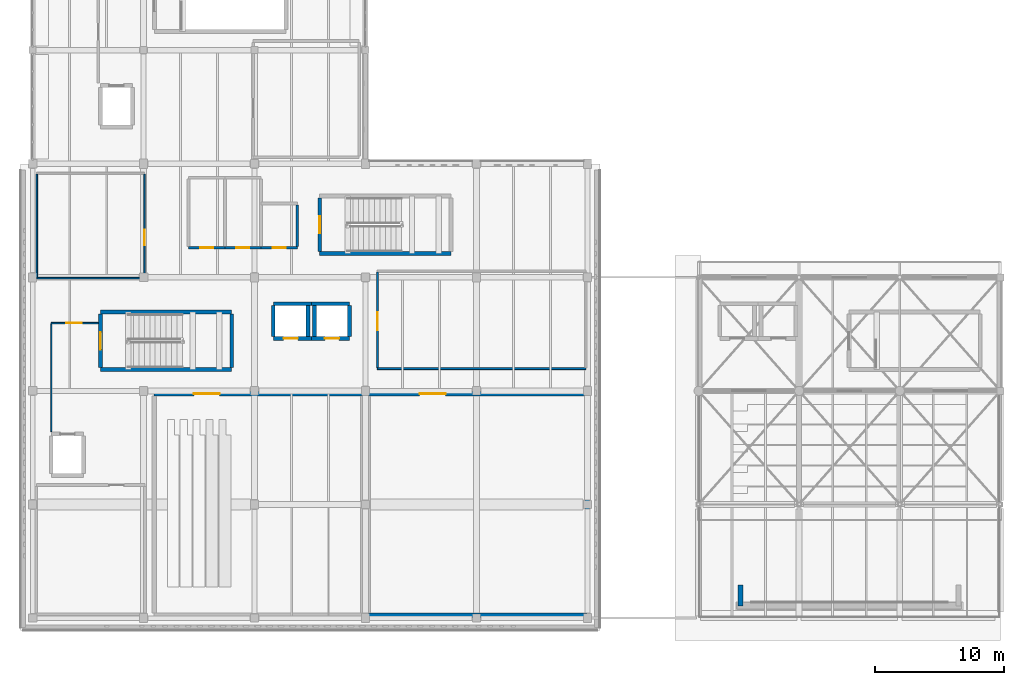
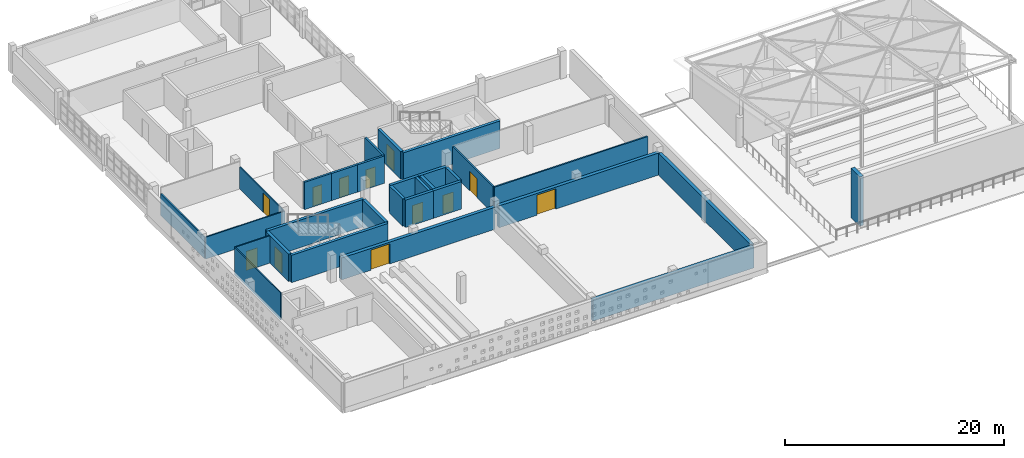
# One storey, part 24 of 34: 30 walls, 12 doors, 12 openings.
"""IFC4 building model written with IfcOpenShell, lengths in metres."""

from ifc_helpers import new_model, si_unit, direction, frame, frame_2d, origin, place, context, subcontext, project, spatial, rectangle, extrude, material, layer, layer_set, type_object, element, fill, save


model = new_model("IFC4")

# Units and contexts
model_context = context("Model", 3, precision=1e-05, world=origin(), true_north=direction((0.0, 1.0)))
body_context = subcontext(model_context, "Body", "Model", "MODEL_VIEW")
ifc_project = project(units=[si_unit("LENGTHUNIT", "METRE"), si_unit("AREAUNIT", "SQUARE_METRE"), si_unit("VOLUMEUNIT", "CUBIC_METRE"), si_unit("PLANEANGLEUNIT", "RADIAN"), si_unit("MASSUNIT", "GRAM", prefix="KILO")], contexts=[model_context])

# Site, building, storey
site_placement = place(None, origin())
site = spatial("IfcSite", under=ifc_project, at=site_placement, CompositionType="ELEMENT")
building_placement = place(site_placement, origin())
building = spatial("IfcBuilding", under=site, at=building_placement, Name="Varnakota Cinema and Media Centre", CompositionType="ELEMENT")
storey_placement = place(building_placement, frame((0.0, 0.0, 19.050048828125)))
storey = spatial("IfcBuildingStorey", under=building, at=storey_placement, Name="L05", CompositionType="ELEMENT", Elevation=19.050048828125)

# Wall
ifc_material_1 = material(Name="Concrete M40", Category="concrete")
ifc_layer_1 = layer(ifc_material_1, 0.300048828125)
ifc_layer_set_1 = layer_set([ifc_layer_1], Name="Concrete M40")
wall_type_1 = type_object("IfcWallType", Name="W-CORE-300", PredefinedType="SHEAR", material=ifc_layer_set_1)
wall_1_placement = place(storey_placement, frame((15.429931640625, 19.25, 0.0), z_axis=(0.0, 0.0, 1.0), x_axis=(-1.0, 0.0, 0.0)))
element("IfcWall", 1, at=wall_1_placement, inside=storey, type_object=wall_type_1, Name="L05 CWALL-ST-01-L05 S wall", PredefinedType="SHEAR", context=body_context, shape_type="SweptSolid", body=[
    extrude(rectangle(XDim=10.179931640625, YDim=0.300048828125, at=frame_2d((5.08984375, 0.0))), origin(), (0.0, 0.0, 1.0), 3.06005859375),
])

# Wall, opening, door
wall_2_placement = place(storey_placement, frame((5.25, 19.39990234375, 0.0), z_axis=(0.0, 0.0, 1.0), x_axis=(0.0, 1.0, 0.0)))
wall_2 = element("IfcWall", 2, at=wall_2_placement, inside=storey, type_object=wall_type_1, Name="L05 CWALL-ST-01-L05 W wall", PredefinedType="SHEAR", context=body_context, shape_type="SweptSolid", body=[
    extrude(rectangle(XDim=4.150146484375, YDim=0.300048828125, at=frame_2d((2.0751953125, 0.0))), origin(), (0.0, 0.0, 1.0), 3.06005859375),
])
opening_1_placement = place(wall_2_placement, frame((1.39990234375, 0.0, 0.0)))
opening_1 = element("IfcOpeningElement", 3, at=opening_1_placement, cuts=wall_2, Name="Opening SD-01", PredefinedType="OPENING", context=body_context, shape_type="SweptSolid", body=[
    extrude(rectangle(XDim=1.35009765625, YDim=2.199951171875, at=frame_2d((0.675048828125, 1.10009765625))), frame((0.0, 0.14990234375, 0.0), z_axis=(0.0, -1.0, 0.0), x_axis=(1.0, 0.0, 0.0)), (0.0, 0.0, 1.0), 0.300048828125),
])
ifc_material_2 = material(Name="Thermally broken anodised aluminium AW-6063", Category="aluminium")
door_type_1 = type_object("IfcDoorType", Name="DR-STAIR-1350x2200", OperationType="NOTDEFINED", PredefinedType="DOOR", material=ifc_material_2)
door_1_placement = place(opening_1_placement, origin())
door_1 = element("IfcDoor", 4, at=door_1_placement, inside=storey, type_object=door_type_1, Name="L05 door SD-01", OperationType="SINGLE_SWING_RIGHT", OverallHeight=2.199951171875, OverallWidth=1.35009765625, PredefinedType="DOOR", context=body_context, shape_type="SweptSolid", body=[
    extrude(rectangle(XDim=1.35009765625, YDim=2.199951171875, at=frame_2d((0.675048828125, 1.10009765625))), frame((0.0, 0.02490234375, 0.0), z_axis=(0.0, -1.0, 0.0), x_axis=(1.0, 0.0, 0.0)), (0.0, 0.0, 1.0), 0.050048828125),
])
fill(opening_1, door_1)

# Walls
wall_3_placement = place(storey_placement, frame((5.25, 23.699951171875, 0.0), z_axis=(0.0, 0.0, 1.0), x_axis=(1.0, 0.0, 0.0)))
element("IfcWall", 5, at=wall_3_placement, inside=storey, type_object=wall_type_1, Name="L05 CWALL-ST-01-L05 N wall", PredefinedType="SHEAR", context=body_context, shape_type="SweptSolid", body=[
    extrude(rectangle(XDim=10.179931640625, YDim=0.300048828125, at=frame_2d((5.08984375, 0.0))), origin(), (0.0, 0.0, 1.0), 3.06005859375),
])
wall_4_placement = place(storey_placement, frame((15.429931640625, 23.550048828125, 0.0), z_axis=(0.0, 0.0, 1.0), x_axis=(0.0, -1.0, 0.0)))
element("IfcWall", 6, at=wall_4_placement, inside=storey, type_object=wall_type_1, Name="L05 CWALL-ST-01-L05 E wall", PredefinedType="SHEAR", context=body_context, shape_type="SweptSolid", body=[
    extrude(rectangle(XDim=4.150146484375, YDim=0.300048828125, at=frame_2d((2.0751953125, 0.0))), origin(), (0.0, 0.0, 1.0), 3.06005859375),
])
wall_5_placement = place(storey_placement, frame((32.429931640625, 28.25, 0.0), z_axis=(0.0, 0.0, 1.0), x_axis=(-1.0, 0.0, 0.0)))
element("IfcWall", 7, at=wall_5_placement, inside=storey, type_object=wall_type_1, Name="L05 CWALL-ST-02-L05 S wall", PredefinedType="SHEAR", context=body_context, shape_type="SweptSolid", body=[
    extrude(rectangle(XDim=10.179931640625, YDim=0.300048828125, at=frame_2d((5.08984375, 0.0))), origin(), (0.0, 0.0, 1.0), 3.06005859375),
])

# Wall, opening, door
wall_6_placement = place(storey_placement, frame((22.25, 28.39990234375, 0.0), z_axis=(0.0, 0.0, 1.0), x_axis=(0.0, 1.0, 0.0)))
wall_6 = element("IfcWall", 8, at=wall_6_placement, inside=storey, type_object=wall_type_1, Name="L05 CWALL-ST-02-L05 W wall", PredefinedType="SHEAR", context=body_context, shape_type="SweptSolid", body=[
    extrude(rectangle(XDim=4.150146484375, YDim=0.300048828125, at=frame_2d((2.0751953125, 0.0))), origin(), (0.0, 0.0, 1.0), 3.06005859375),
])
opening_2_placement = place(wall_6_placement, frame((1.39990234375, 0.0, 0.0)))
opening_2 = element("IfcOpeningElement", 9, at=opening_2_placement, cuts=wall_6, Name="Opening SD-02", PredefinedType="OPENING", context=body_context, shape_type="SweptSolid", body=[
    extrude(rectangle(XDim=1.35009765625, YDim=2.199951171875, at=frame_2d((0.675048828125, 1.10009765625))), frame((0.0, 0.14990234375, 0.0), z_axis=(0.0, -1.0, 0.0), x_axis=(1.0, 0.0, 0.0)), (0.0, 0.0, 1.0), 0.300048828125),
])
door_2_placement = place(opening_2_placement, origin())
door_2 = element("IfcDoor", 10, at=door_2_placement, inside=storey, type_object=door_type_1, Name="L05 door SD-02", OperationType="SINGLE_SWING_RIGHT", OverallHeight=2.199951171875, OverallWidth=1.35009765625, PredefinedType="DOOR", context=body_context, shape_type="SweptSolid", body=[
    extrude(rectangle(XDim=1.35009765625, YDim=2.199951171875, at=frame_2d((0.675048828125, 1.10009765625))), frame((0.0, 0.02490234375, 0.0), z_axis=(0.0, -1.0, 0.0), x_axis=(1.0, 0.0, 0.0)), (0.0, 0.0, 1.0), 0.050048828125),
])
fill(opening_2, door_2)

wall_7_placement = place(storey_placement, frame((21.60009765625, 21.64990234375, 0.0), z_axis=(0.0, 0.0, 1.0), x_axis=(-1.0, 0.0, 0.0)))
wall_7 = element("IfcWall", 11, at=wall_7_placement, inside=storey, type_object=wall_type_1, Name="L05 LSHAFT-LF-03-L05 S wall", PredefinedType="SHEAR", context=body_context, shape_type="SweptSolid", body=[
    extrude(rectangle(XDim=2.9501953125, YDim=0.300048828125, at=frame_2d((1.47509765625, 0.0))), origin(), (0.0, 0.0, 1.0), 3.06005859375),
])
opening_3_placement = place(wall_7_placement, frame((1.050048828125, 0.0, 0.0)))
opening_3 = element("IfcOpeningElement", 12, at=opening_3_placement, cuts=wall_7, Name="Opening LD-03", PredefinedType="OPENING", context=body_context, shape_type="SweptSolid", body=[
    extrude(rectangle(XDim=1.10009765625, YDim=2.10009765625, at=frame_2d((0.550048828125, 1.050048828125))), frame((0.0, 0.14990234375, 0.0), z_axis=(0.0, -1.0, 0.0), x_axis=(1.0, 0.0, 0.0)), (0.0, 0.0, 1.0), 0.300048828125),
])
ifc_material_3 = material(Name="Thermally broken anodised aluminium AW-6063", Category="aluminium")
door_type_2 = type_object("IfcDoorType", Name="DR-LIFT-1100x2100", OperationType="SLIDING_TO_LEFT", PredefinedType="DOOR", material=ifc_material_3)
door_3_placement = place(opening_3_placement, origin())
door_3 = element("IfcDoor", 13, at=door_3_placement, inside=storey, type_object=door_type_2, Name="L05 door LD-03", OperationType="SLIDING_TO_LEFT", OverallHeight=2.10009765625, OverallWidth=1.10009765625, PredefinedType="DOOR", context=body_context, shape_type="SweptSolid", body=[
    extrude(rectangle(XDim=1.10009765625, YDim=2.10009765625, at=frame_2d((0.550048828125, 1.050048828125))), frame((0.0, 0.02490234375, 0.0), z_axis=(0.0, -1.0, 0.0), x_axis=(1.0, 0.0, 0.0)), (0.0, 0.0, 1.0), 0.050048828125),
])
fill(opening_3, door_3)

# Walls
wall_8_placement = place(storey_placement, frame((18.64990234375, 21.800048828125, 0.0), z_axis=(0.0, 0.0, 1.0), x_axis=(0.0, 1.0, 0.0)))
element("IfcWall", 14, at=wall_8_placement, inside=storey, type_object=wall_type_1, Name="L05 LSHAFT-LF-03-L05 W wall", PredefinedType="SHEAR", context=body_context, shape_type="SweptSolid", body=[
    extrude(rectangle(XDim=2.39990234375, YDim=0.300048828125, at=frame_2d((1.199951171875, 0.0))), origin(), (0.0, 0.0, 1.0), 3.06005859375),
])
wall_9_placement = place(storey_placement, frame((18.64990234375, 24.35009765625, 0.0), z_axis=(0.0, 0.0, 1.0), x_axis=(1.0, 0.0, 0.0)))
element("IfcWall", 15, at=wall_9_placement, inside=storey, type_object=wall_type_1, Name="L05 LSHAFT-LF-03-L05 N wall", PredefinedType="SHEAR", context=body_context, shape_type="SweptSolid", body=[
    extrude(rectangle(XDim=2.9501953125, YDim=0.300048828125, at=frame_2d((1.47509765625, 0.0))), origin(), (0.0, 0.0, 1.0), 3.06005859375),
])
wall_10_placement = place(storey_placement, frame((21.35009765625, 24.199951171875, 0.0), z_axis=(0.0, 0.0, 1.0), x_axis=(0.0, -1.0, 0.0)))
element("IfcWall", 16, at=wall_10_placement, inside=storey, type_object=wall_type_1, Name="L05 LSHAFT-LF-03-L05 E wall", PredefinedType="SHEAR", context=body_context, shape_type="SweptSolid", body=[
    extrude(rectangle(XDim=2.39990234375, YDim=0.300048828125, at=frame_2d((1.199951171875, 0.0))), origin(), (0.0, 0.0, 1.0), 3.06005859375),
])

# Wall, opening, door
wall_11_placement = place(storey_placement, frame((24.550048828125, 21.64990234375, 0.0), z_axis=(0.0, 0.0, 1.0), x_axis=(-1.0, 0.0, 0.0)))
wall_11 = element("IfcWall", 17, at=wall_11_placement, inside=storey, type_object=wall_type_1, Name="L05 LSHAFT-LF-04-L05 S wall", PredefinedType="SHEAR", context=body_context, shape_type="SweptSolid", body=[
    extrude(rectangle(XDim=2.949951171875, YDim=0.300048828125, at=frame_2d((1.47509765625, 0.0))), origin(), (0.0, 0.0, 1.0), 3.06005859375),
])
opening_4_placement = place(wall_11_placement, frame((0.800048828125, 0.0, 0.0)))
opening_4 = element("IfcOpeningElement", 18, at=opening_4_placement, cuts=wall_11, Name="Opening LD-04", PredefinedType="OPENING", context=body_context, shape_type="SweptSolid", body=[
    extrude(rectangle(XDim=1.10009765625, YDim=2.10009765625, at=frame_2d((0.550048828125, 1.050048828125))), frame((0.0, 0.14990234375, 0.0), z_axis=(0.0, -1.0, 0.0), x_axis=(1.0, 0.0, 0.0)), (0.0, 0.0, 1.0), 0.300048828125),
])
door_4_placement = place(opening_4_placement, origin())
door_4 = element("IfcDoor", 19, at=door_4_placement, inside=storey, type_object=door_type_2, Name="L05 door LD-04", OperationType="SLIDING_TO_LEFT", OverallHeight=2.10009765625, OverallWidth=1.10009765625, PredefinedType="DOOR", context=body_context, shape_type="SweptSolid", body=[
    extrude(rectangle(XDim=1.10009765625, YDim=2.10009765625, at=frame_2d((0.550048828125, 1.050048828125))), frame((0.0, 0.02490234375, 0.0), z_axis=(0.0, -1.0, 0.0), x_axis=(1.0, 0.0, 0.0)), (0.0, 0.0, 1.0), 0.050048828125),
])
fill(opening_4, door_4)

# Walls
wall_12_placement = place(storey_placement, frame((21.85009765625, 21.800048828125, 0.0), z_axis=(0.0, 0.0, 1.0), x_axis=(0.0, 1.0, 0.0)))
element("IfcWall", 20, at=wall_12_placement, inside=storey, type_object=wall_type_1, Name="L05 LSHAFT-LF-04-L05 W wall", PredefinedType="SHEAR", context=body_context, shape_type="SweptSolid", body=[
    extrude(rectangle(XDim=2.39990234375, YDim=0.300048828125, at=frame_2d((1.199951171875, 0.0))), origin(), (0.0, 0.0, 1.0), 3.06005859375),
])
wall_13_placement = place(storey_placement, frame((21.60009765625, 24.35009765625, 0.0), z_axis=(0.0, 0.0, 1.0), x_axis=(1.0, 0.0, 0.0)))
element("IfcWall", 21, at=wall_13_placement, inside=storey, type_object=wall_type_1, Name="L05 LSHAFT-LF-04-L05 N wall", PredefinedType="SHEAR", context=body_context, shape_type="SweptSolid", body=[
    extrude(rectangle(XDim=2.949951171875, YDim=0.300048828125, at=frame_2d((1.47509765625, 0.0))), origin(), (0.0, 0.0, 1.0), 3.06005859375),
])
wall_14_placement = place(storey_placement, frame((24.550048828125, 24.199951171875, 0.0), z_axis=(0.0, 0.0, 1.0), x_axis=(0.0, -1.0, 0.0)))
element("IfcWall", 22, at=wall_14_placement, inside=storey, type_object=wall_type_1, Name="L05 LSHAFT-LF-04-L05 E wall", PredefinedType="SHEAR", context=body_context, shape_type="SweptSolid", body=[
    extrude(rectangle(XDim=2.39990234375, YDim=0.300048828125, at=frame_2d((1.199951171875, 0.0))), origin(), (0.0, 0.0, 1.0), 3.06005859375),
])
ifc_material_4 = material(Name="Deccan grey granite ashlar", Category="masonry")
ifc_layer_2 = layer(ifc_material_4, 0.3798828125)
ifc_layer_set_2 = layer_set([ifc_layer_2], Name="Deccan grey granite ashlar")
wall_type_2 = type_object("IfcWallType", Name="W-EXT-GRAN-380", PredefinedType="SOLIDWALL", material=ifc_layer_set_2)
wall_15_placement = place(storey_placement, frame((54.85009765625, 0.949951171875, 0.0), z_axis=(0.0, 0.0, 1.0), x_axis=(0.0, 1.0, 0.0)))
element("IfcWall", 23, at=wall_15_placement, inside=storey, type_object=wall_type_2, Name="L05 rooftop cinema screen acoustic wing pier W", PredefinedType="SOLIDWALL", context=body_context, shape_type="SweptSolid", body=[
    extrude(rectangle(XDim=1.60009765625, YDim=0.3798828125, at=frame_2d((0.800048828125, 0.0))), origin(), (0.0, 0.0, 1.0), 5.5),
])
ifc_material_5 = material(Name="Autoclaved aerated concrete blockwork", Category="masonry")
ifc_layer_3 = layer(ifc_material_5, 0.110107421875)
ifc_layer_set_3 = layer_set([ifc_layer_3], Name="Autoclaved aerated concrete blockwork")
wall_type_3 = type_object("IfcWallType", Name="W-PART-110", PredefinedType="PARTITIONING", material=ifc_layer_set_3)
wall_16_placement = place(storey_placement, frame((1.445068359375, 14.449951171875, 0.0), z_axis=(0.0, 0.0, 1.0), x_axis=(0.0, 1.0, 0.0)))
element("IfcWall", 24, at=wall_16_placement, inside=storey, type_object=wall_type_3, Name="L05 RWALL-RM-L05-FF-1 W wall", PredefinedType="PARTITIONING", context=body_context, shape_type="SweptSolid", body=[
    extrude(rectangle(XDim=8.35009765625, YDim=0.110107421875, at=frame_2d((4.175048828125, 0.0))), origin(), (0.0, 0.0, 1.0), 3.0400390625),
])

# Wall, opening, door
wall_17_placement = place(storey_placement, frame((1.445068359375, 22.85498046875, 0.0), z_axis=(0.0, 0.0, 1.0), x_axis=(1.0, 0.0, 0.0)))
wall_17 = element("IfcWall", 25, at=wall_17_placement, inside=storey, type_object=wall_type_3, Name="L05 RWALL-RM-L05-FF-1 N wall", PredefinedType="PARTITIONING", context=body_context, shape_type="SweptSolid", body=[
    extrude(rectangle(XDim=3.659912109375, YDim=0.110107421875, at=frame_2d((1.830078125, 0.0))), origin(), (0.0, 0.0, 1.0), 3.0400390625),
])
opening_5_placement = place(wall_17_placement, frame((1.155029296875, 0.0, 0.0)))
opening_5 = element("IfcOpeningElement", 26, at=opening_5_placement, cuts=wall_17, Name="Opening D-007", PredefinedType="OPENING", context=body_context, shape_type="SweptSolid", body=[
    extrude(rectangle(XDim=1.199951171875, YDim=2.14990234375, at=frame_2d((0.60009765625, 1.074951171875))), frame((0.0, 0.05517578125, 0.0), z_axis=(0.0, -1.0, 0.0), x_axis=(1.0, 0.0, 0.0)), (0.0, 0.0, 1.0), 0.110107421875),
])
ifc_material_6 = material(Name="Thermally broken anodised aluminium AW-6063", Category="aluminium")
door_type_3 = type_object("IfcDoorType", Name="DR-STD-1200x2150", OperationType="NOTDEFINED", PredefinedType="DOOR", material=ifc_material_6)
door_5_placement = place(opening_5_placement, origin())
door_5 = element("IfcDoor", 27, at=door_5_placement, inside=storey, type_object=door_type_3, Name="L05 door D-007", OperationType="SINGLE_SWING_LEFT", OverallHeight=2.14990234375, OverallWidth=1.199951171875, PredefinedType="DOOR", context=body_context, shape_type="SweptSolid", body=[
    extrude(rectangle(XDim=1.199951171875, YDim=2.14990234375, at=frame_2d((0.60009765625, 1.074951171875))), frame((0.0, 0.02490234375, 0.0), z_axis=(0.0, -1.0, 0.0), x_axis=(1.0, 0.0, 0.0)), (0.0, 0.0, 1.0), 0.050048828125),
])
fill(opening_5, door_5)

# Walls
ifc_material_7 = material(Name="Autoclaved aerated concrete blockwork", Category="masonry")
ifc_layer_4 = layer(ifc_material_7, 0.1298828125)
ifc_layer_set_4 = layer_set([ifc_layer_4], Name="Autoclaved aerated concrete blockwork")
wall_type_4 = type_object("IfcWallType", Name="W-PART-130", PredefinedType="PARTITIONING", material=ifc_layer_set_4)
wall_18_placement = place(storey_placement, frame((8.6650390625, 26.3349609375, 0.0), z_axis=(0.0, 0.0, 1.0), x_axis=(-1.0, 0.0, 0.0)))
element("IfcWall", 28, at=wall_18_placement, inside=storey, type_object=wall_type_4, Name="L05 RWALL-RM-L05-READ5 S wall", PredefinedType="PARTITIONING", context=body_context, shape_type="SweptSolid", body=[
    extrude(rectangle(XDim=8.330078125, YDim=0.1298828125, at=frame_2d((4.1650390625, 0.0))), origin(), (0.0, 0.0, 1.0), 2.43994140625),
])
wall_19_placement = place(storey_placement, frame((0.3349609375, 26.39990234375, 0.0), z_axis=(0.0, 0.0, 1.0), x_axis=(0.0, 1.0, 0.0)))
element("IfcWall", 29, at=wall_19_placement, inside=storey, type_object=wall_type_4, Name="L05 RWALL-RM-L05-READ5 W wall", PredefinedType="PARTITIONING", context=body_context, shape_type="SweptSolid", body=[
    extrude(rectangle(XDim=8.0, YDim=0.1298828125, at=frame_2d((4.0, 0.0))), origin(), (0.0, 0.0, 1.0), 2.389892578125),
])

# Wall, opening, door
wall_20_placement = place(storey_placement, frame((8.6650390625, 34.39990234375, 0.0), z_axis=(0.0, 0.0, 1.0), x_axis=(0.0, -1.0, 0.0)))
wall_20 = element("IfcWall", 30, at=wall_20_placement, inside=storey, type_object=wall_type_4, Name="L05 RWALL-RM-L05-READ5 E wall", PredefinedType="PARTITIONING", context=body_context, shape_type="SweptSolid", body=[
    extrude(rectangle(XDim=8.0, YDim=0.1298828125, at=frame_2d((4.0, 0.0))), origin(), (0.0, 0.0, 1.0), 2.43994140625),
])
opening_6_placement = place(wall_20_placement, frame((4.300048828125, 0.0, 0.0)))
opening_6 = element("IfcOpeningElement", 31, at=opening_6_placement, cuts=wall_20, Name="Opening D-107", PredefinedType="OPENING", context=body_context, shape_type="SweptSolid", body=[
    extrude(rectangle(XDim=1.199951171875, YDim=2.14990234375, at=frame_2d((0.60009765625, 1.074951171875))), frame((0.0, 0.06494140625, 0.0), z_axis=(0.0, -1.0, 0.0), x_axis=(1.0, 0.0, 0.0)), (0.0, 0.0, 1.0), 0.1298828125),
])
door_6_placement = place(opening_6_placement, origin())
door_6 = element("IfcDoor", 32, at=door_6_placement, inside=storey, type_object=door_type_3, Name="L05 door D-107", OperationType="SINGLE_SWING_LEFT", OverallHeight=2.14990234375, OverallWidth=1.199951171875, PredefinedType="DOOR", context=body_context, shape_type="SweptSolid", body=[
    extrude(rectangle(XDim=1.199951171875, YDim=2.14990234375, at=frame_2d((0.60009765625, 1.074951171875))), frame((0.0, 0.02490234375, 0.0), z_axis=(0.0, -1.0, 0.0), x_axis=(1.0, 0.0, 0.0)), (0.0, 0.0, 1.0), 0.050048828125),
])
fill(opening_6, door_6)

# Wall
ifc_material_8 = material(Name="Autoclaved aerated concrete blockwork", Category="masonry")
ifc_layer_5 = layer(ifc_material_8, 0.14990234375)
ifc_layer_set_5 = layer_set([ifc_layer_5], Name="Autoclaved aerated concrete blockwork")
wall_type_5 = type_object("IfcWallType", Name="W-PART-150", PredefinedType="PARTITIONING", material=ifc_layer_set_5)
wall_21_placement = place(storey_placement, frame((42.875, 19.324951171875, 0.0), z_axis=(0.0, 0.0, 1.0), x_axis=(-1.0, 0.0, 0.0)))
element("IfcWall", 33, at=wall_21_placement, inside=storey, type_object=wall_type_5, Name="L05 RWALL-RM-L05-LOUNGE5 S wall", PredefinedType="PARTITIONING", context=body_context, shape_type="SweptSolid", body=[
    extrude(rectangle(XDim=16.14990234375, YDim=0.14990234375, at=frame_2d((8.074951171875, 0.0))), origin(), (0.0, 0.0, 1.0), 3.0400390625),
])

# Wall, opening, door
wall_22_placement = place(storey_placement, frame((26.72509765625, 19.39990234375, 0.0), z_axis=(0.0, 0.0, 1.0), x_axis=(0.0, 1.0, 0.0)))
wall_22 = element("IfcWall", 34, at=wall_22_placement, inside=storey, type_object=wall_type_5, Name="L05 RWALL-RM-L05-LOUNGE5 W wall", PredefinedType="PARTITIONING", context=body_context, shape_type="SweptSolid", body=[
    extrude(rectangle(XDim=7.400146484375, YDim=0.14990234375, at=frame_2d((3.7001953125, 0.0))), origin(), (0.0, 0.0, 1.0), 3.0400390625),
])
opening_7_placement = place(wall_22_placement, frame((2.89990234375, 0.0, 0.0)))
opening_7 = element("IfcOpeningElement", 35, at=opening_7_placement, cuts=wall_22, Name="Opening D-106", PredefinedType="OPENING", context=body_context, shape_type="SweptSolid", body=[
    extrude(rectangle(XDim=1.39990234375, YDim=2.14990234375, at=frame_2d((0.699951171875, 1.074951171875))), frame((0.0, 0.074951171875, 0.0), z_axis=(0.0, -1.0, 0.0), x_axis=(1.0, 0.0, 0.0)), (0.0, 0.0, 1.0), 0.14990234375),
])
ifc_material_9 = material(Name="Thermally broken anodised aluminium AW-6063", Category="aluminium")
door_type_4 = type_object("IfcDoorType", Name="DR-STD-1400x2150", OperationType="DOUBLE_DOOR_SINGLE_SWING", PredefinedType="DOOR", material=ifc_material_9)
door_7_placement = place(opening_7_placement, origin())
door_7 = element("IfcDoor", 36, at=door_7_placement, inside=storey, type_object=door_type_4, Name="L05 door D-106", OperationType="DOUBLE_DOOR_SINGLE_SWING", OverallHeight=2.14990234375, OverallWidth=1.39990234375, PredefinedType="DOOR", context=body_context, shape_type="SweptSolid", body=[
    extrude(rectangle(XDim=1.39990234375, YDim=2.14990234375, at=frame_2d((0.699951171875, 1.074951171875))), frame((0.0, 0.02490234375, 0.0), z_axis=(0.0, -1.0, 0.0), x_axis=(1.0, 0.0, 0.0)), (0.0, 0.0, 1.0), 0.050048828125),
])
fill(opening_7, door_7)

ifc_material_10 = material(Name="Autoclaved aerated concrete blockwork", Category="masonry")
ifc_layer_6 = layer(ifc_material_10, 0.219970703125)
ifc_layer_set_6 = layer_set([ifc_layer_6], Name="Autoclaved aerated concrete blockwork")
wall_type_6 = type_object("IfcWallType", Name="W-PLUMB-220", PredefinedType="PLUMBINGWALL", material=ifc_layer_set_6)
wall_23_placement = place(storey_placement, frame((14.909912109375, 28.68994140625, 0.0), z_axis=(0.0, 0.0, 1.0), x_axis=(-1.0, 0.0, 0.0)))
wall_23 = element("IfcWall", 37, at=wall_23_placement, inside=storey, type_object=wall_type_6, Name="L05 RWALL-RM-L05-WCM S wall", PredefinedType="PLUMBINGWALL", context=body_context, shape_type="SweptSolid", body=[
    extrude(rectangle(XDim=2.81982421875, YDim=0.219970703125, at=frame_2d((1.409912109375, 0.0))), origin(), (0.0, 0.0, 1.0), 3.0400390625),
])
opening_8_placement = place(wall_23_placement, frame((0.909912109375, 0.0, 0.0)))
opening_8 = element("IfcOpeningElement", 38, at=opening_8_placement, cuts=wall_23, Name="Opening D-032", PredefinedType="OPENING", context=body_context, shape_type="SweptSolid", body=[
    extrude(rectangle(XDim=1.0, YDim=2.10009765625, at=frame_2d((0.5, 1.050048828125))), frame((0.0, 0.10986328125, 0.0), z_axis=(0.0, -1.0, 0.0), x_axis=(1.0, 0.0, 0.0)), (0.0, 0.0, 1.0), 0.219970703125),
])
ifc_material_11 = material(Name="Thermally broken anodised aluminium AW-6063", Category="aluminium")
door_type_5 = type_object("IfcDoorType", Name="DR-STD-1000x2100", OperationType="NOTDEFINED", PredefinedType="DOOR", material=ifc_material_11)
door_8_placement = place(opening_8_placement, origin())
door_8 = element("IfcDoor", 39, at=door_8_placement, inside=storey, type_object=door_type_5, Name="L05 door D-032", OperationType="SINGLE_SWING_RIGHT", OverallHeight=2.10009765625, OverallWidth=1.0, PredefinedType="DOOR", context=body_context, shape_type="SweptSolid", body=[
    extrude(rectangle(XDim=1.0, YDim=2.10009765625, at=frame_2d((0.5, 1.050048828125))), frame((0.0, 0.02490234375, 0.0), z_axis=(0.0, -1.0, 0.0), x_axis=(1.0, 0.0, 0.0)), (0.0, 0.0, 1.0), 0.050048828125),
])
fill(opening_8, door_8)

wall_24_placement = place(storey_placement, frame((17.7099609375, 28.68994140625, 0.0), z_axis=(0.0, 0.0, 1.0), x_axis=(-1.0, 0.0, 0.0)))
wall_24 = element("IfcWall", 40, at=wall_24_placement, inside=storey, type_object=wall_type_6, Name="L05 RWALL-RM-L05-WCF S wall", PredefinedType="PLUMBINGWALL", context=body_context, shape_type="SweptSolid", body=[
    extrude(rectangle(XDim=2.820068359375, YDim=0.219970703125, at=frame_2d((1.41015625, 0.0))), origin(), (0.0, 0.0, 1.0), 3.0400390625),
])
opening_9_placement = place(wall_24_placement, frame((0.909912109375, 0.0, 0.0)))
opening_9 = element("IfcOpeningElement", 41, at=opening_9_placement, cuts=wall_24, Name="Opening D-033", PredefinedType="OPENING", context=body_context, shape_type="SweptSolid", body=[
    extrude(rectangle(XDim=1.0, YDim=2.10009765625, at=frame_2d((0.5, 1.050048828125))), frame((0.0, 0.10986328125, 0.0), z_axis=(0.0, -1.0, 0.0), x_axis=(1.0, 0.0, 0.0)), (0.0, 0.0, 1.0), 0.219970703125),
])
door_9_placement = place(opening_9_placement, origin())
door_9 = element("IfcDoor", 42, at=door_9_placement, inside=storey, type_object=door_type_5, Name="L05 door D-033", OperationType="SINGLE_SWING_LEFT", OverallHeight=2.10009765625, OverallWidth=1.0, PredefinedType="DOOR", context=body_context, shape_type="SweptSolid", body=[
    extrude(rectangle(XDim=1.0, YDim=2.10009765625, at=frame_2d((0.5, 1.050048828125))), frame((0.0, 0.02490234375, 0.0), z_axis=(0.0, -1.0, 0.0), x_axis=(1.0, 0.0, 0.0)), (0.0, 0.0, 1.0), 0.050048828125),
])
fill(opening_9, door_9)

wall_25_placement = place(storey_placement, frame((20.510009765625, 28.68994140625, 0.0), z_axis=(0.0, 0.0, 1.0), x_axis=(-1.0, 0.0, 0.0)))
wall_25 = element("IfcWall", 43, at=wall_25_placement, inside=storey, type_object=wall_type_6, Name="L05 RWALL-RM-L05-WCA S wall", PredefinedType="PLUMBINGWALL", context=body_context, shape_type="SweptSolid", body=[
    extrude(rectangle(XDim=2.820068359375, YDim=0.219970703125, at=frame_2d((1.41015625, 0.0))), origin(), (0.0, 0.0, 1.0), 3.0400390625),
])
opening_10_placement = place(wall_25_placement, frame((0.909912109375, 0.0, 0.0)))
opening_10 = element("IfcOpeningElement", 44, at=opening_10_placement, cuts=wall_25, Name="Opening D-034", PredefinedType="OPENING", context=body_context, shape_type="SweptSolid", body=[
    extrude(rectangle(XDim=1.0, YDim=2.10009765625, at=frame_2d((0.5, 1.050048828125))), frame((0.0, 0.10986328125, 0.0), z_axis=(0.0, -1.0, 0.0), x_axis=(1.0, 0.0, 0.0)), (0.0, 0.0, 1.0), 0.219970703125),
])
door_10_placement = place(opening_10_placement, origin())
door_10 = element("IfcDoor", 45, at=door_10_placement, inside=storey, type_object=door_type_5, Name="L05 door D-034", OperationType="SINGLE_SWING_RIGHT", OverallHeight=2.10009765625, OverallWidth=1.0, PredefinedType="DOOR", context=body_context, shape_type="SweptSolid", body=[
    extrude(rectangle(XDim=1.0, YDim=2.10009765625, at=frame_2d((0.5, 1.050048828125))), frame((0.0, 0.02490234375, 0.0), z_axis=(0.0, -1.0, 0.0), x_axis=(1.0, 0.0, 0.0)), (0.0, 0.0, 1.0), 0.050048828125),
])
fill(opening_10, door_10)

# Wall
wall_26_placement = place(storey_placement, frame((20.510009765625, 32.0, 0.0), z_axis=(0.0, 0.0, 1.0), x_axis=(0.0, -1.0, 0.0)))
element("IfcWall", 46, at=wall_26_placement, inside=storey, type_object=wall_type_6, Name="L05 RWALL-RM-L05-WCA E wall", PredefinedType="PLUMBINGWALL", context=body_context, shape_type="SweptSolid", body=[
    extrude(rectangle(XDim=3.199951171875, YDim=0.219970703125, at=frame_2d((1.60009765625, 0.0))), origin(), (0.0, 0.0, 1.0), 3.0400390625),
])

# Wall, opening, door
ifc_material_12 = material(Name="Concrete M40", Category="concrete")
ifc_layer_7 = layer(ifc_material_12, 0.35009765625)
ifc_layer_set_7 = layer_set([ifc_layer_7], Name="Concrete M40")
wall_type_7 = type_object("IfcWallType", Name="W-SEP-350", PredefinedType="SOLIDWALL", material=ifc_layer_set_7)
wall_27_placement = place(storey_placement, frame((9.425048828125, 17.375, 0.0), z_axis=(0.0, 0.0, 1.0), x_axis=(1.0, 0.0, 0.0)))
wall_27 = element("IfcWall", 47, at=wall_27_placement, inside=storey, type_object=wall_type_7, Name="L05 RWALL-RM-L05-SCR6 N wall", PredefinedType="SOLIDWALL", context=body_context, shape_type="SweptSolid", body=[
    extrude(rectangle(XDim=16.14990234375, YDim=0.35009765625, at=frame_2d((8.074951171875, 0.0))), origin(), (0.0, 0.0, 1.0), 2.43994140625),
])
opening_11_placement = place(wall_27_placement, frame((3.074951171875, 0.0, 0.0)))
opening_11 = element("IfcOpeningElement", 48, at=opening_11_placement, cuts=wall_27, Name="Opening D-104", PredefinedType="OPENING", context=body_context, shape_type="SweptSolid", body=[
    extrude(rectangle(XDim=2.0, YDim=2.25, at=frame_2d((1.0, 1.125))), frame((0.0, 0.175048828125, 0.0), z_axis=(0.0, -1.0, 0.0), x_axis=(1.0, 0.0, 0.0)), (0.0, 0.0, 1.0), 0.35009765625),
])
ifc_material_13 = material(Name="Thermally broken anodised aluminium AW-6063", Category="aluminium")
door_type_6 = type_object("IfcDoorType", Name="DR-AUD-2000x2250", OperationType="DOUBLE_DOOR_SINGLE_SWING", PredefinedType="DOOR", material=ifc_material_13)
door_11_placement = place(opening_11_placement, origin())
door_11 = element("IfcDoor", 49, at=door_11_placement, inside=storey, type_object=door_type_6, Name="L05 door D-104", OperationType="DOUBLE_DOOR_SINGLE_SWING", OverallHeight=2.25, OverallWidth=2.0, PredefinedType="DOOR", context=body_context, shape_type="SweptSolid", body=[
    extrude(rectangle(XDim=2.0, YDim=2.25, at=frame_2d((1.0, 1.125))), frame((0.0, 0.02490234375, 0.0), z_axis=(0.0, -1.0, 0.0), x_axis=(1.0, 0.0, 0.0)), (0.0, 0.0, 1.0), 0.050048828125),
])
fill(opening_11, door_11)

# Wall
wall_28_placement = place(storey_placement, frame((42.97509765625, 0.22509765625, 0.0), z_axis=(0.0, 0.0, 1.0), x_axis=(-1.0, 0.0, 0.0)))
element("IfcWall", 50, at=wall_28_placement, inside=storey, type_object=wall_type_7, Name="L05 RWALL-RM-L05-SCR7 S wall", PredefinedType="SOLIDWALL", context=body_context, shape_type="SweptSolid", body=[
    extrude(rectangle(XDim=16.9501953125, YDim=0.35009765625, at=frame_2d((8.47509765625, 0.0))), origin(), (0.0, 0.0, 1.0), 2.389892578125),
])

# Wall, opening, door
wall_29_placement = place(storey_placement, frame((26.02490234375, 17.375, 0.0), z_axis=(0.0, 0.0, 1.0), x_axis=(1.0, 0.0, 0.0)))
wall_29 = element("IfcWall", 51, at=wall_29_placement, inside=storey, type_object=wall_type_7, Name="L05 RWALL-RM-L05-SCR7 N wall", PredefinedType="SOLIDWALL", context=body_context, shape_type="SweptSolid", body=[
    extrude(rectangle(XDim=16.9501953125, YDim=0.35009765625, at=frame_2d((8.47509765625, 0.0))), origin(), (0.0, 0.0, 1.0), 2.43994140625),
])
opening_12_placement = place(wall_29_placement, frame((3.97509765625, 0.0, 0.0)))
opening_12 = element("IfcOpeningElement", 52, at=opening_12_placement, cuts=wall_29, Name="Opening D-105", PredefinedType="OPENING", context=body_context, shape_type="SweptSolid", body=[
    extrude(rectangle(XDim=2.0, YDim=2.25, at=frame_2d((1.0, 1.125))), frame((0.0, 0.175048828125, 0.0), z_axis=(0.0, -1.0, 0.0), x_axis=(1.0, 0.0, 0.0)), (0.0, 0.0, 1.0), 0.35009765625),
])
door_12_placement = place(opening_12_placement, origin())
door_12 = element("IfcDoor", 53, at=door_12_placement, inside=storey, type_object=door_type_6, Name="L05 door D-105", OperationType="DOUBLE_DOOR_SINGLE_SWING", OverallHeight=2.25, OverallWidth=2.0, PredefinedType="DOOR", context=body_context, shape_type="SweptSolid", body=[
    extrude(rectangle(XDim=2.0, YDim=2.25, at=frame_2d((1.0, 1.125))), frame((0.0, 0.02490234375, 0.0), z_axis=(0.0, -1.0, 0.0), x_axis=(1.0, 0.0, 0.0)), (0.0, 0.0, 1.0), 0.050048828125),
])
fill(opening_12, door_12)

# Wall
wall_30_placement = place(storey_placement, frame((42.97509765625, 17.199951171875, 0.0), z_axis=(0.0, 0.0, 1.0), x_axis=(0.0, -1.0, 0.0)))
element("IfcWall", 54, at=wall_30_placement, inside=storey, type_object=wall_type_7, Name="L05 RWALL-RM-L05-SCR7 E wall", PredefinedType="SOLIDWALL", context=body_context, shape_type="SweptSolid", body=[
    extrude(rectangle(XDim=16.800048828125, YDim=0.35009765625, at=frame_2d((8.39990234375, 0.0))), origin(), (0.0, 0.0, 1.0), 2.43994140625),
])

save(model, "model.ifc")
